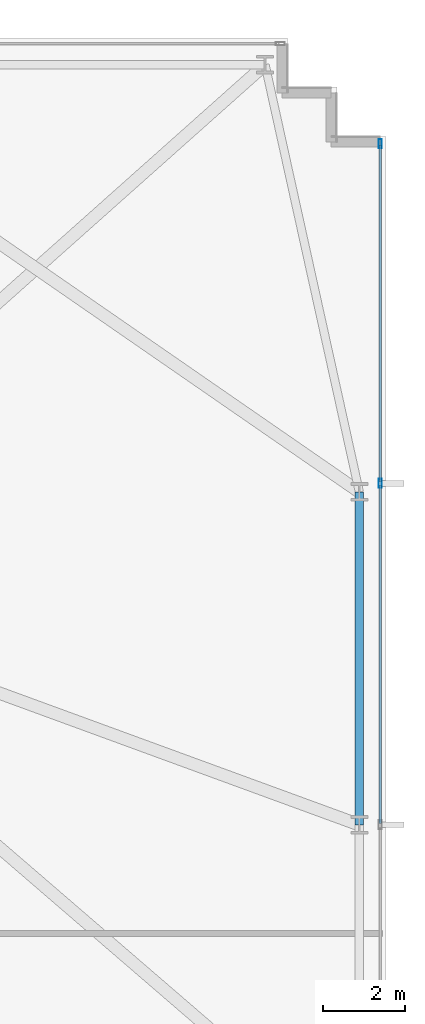
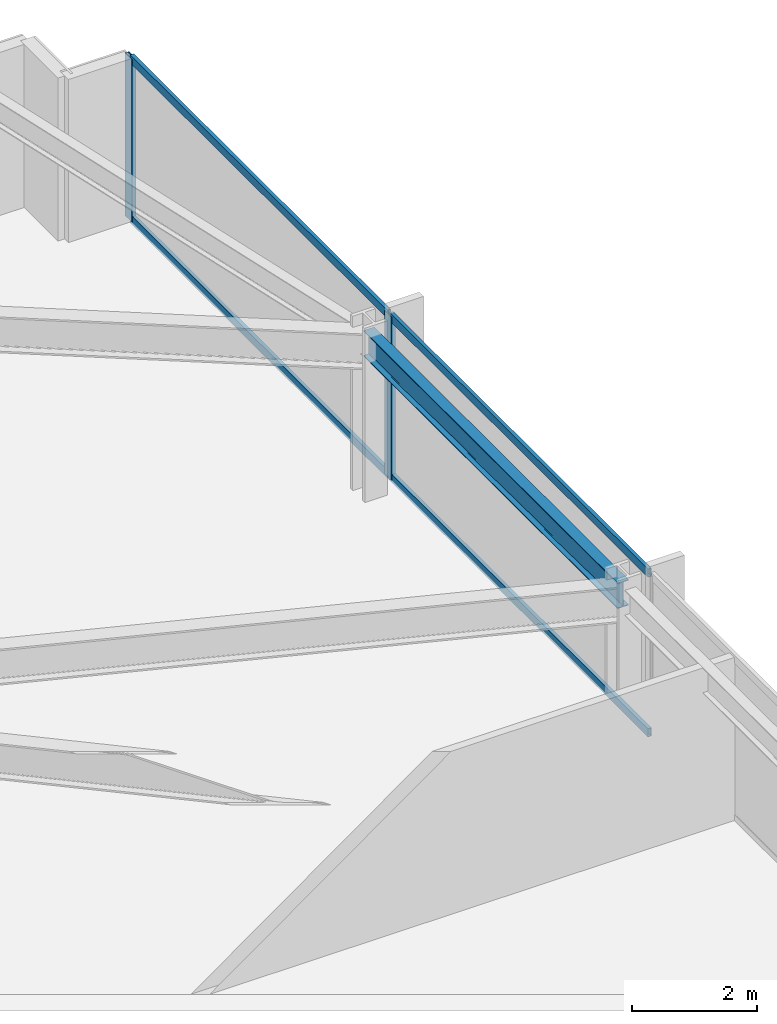
# One storey, part 23 of 32: 6 members, 1 beam, 1 element without a shape of its own.
"""IFC4 building model written with IfcOpenShell, lengths in metres."""

from ifc_helpers import new_model, si_unit, direction, frame, origin, origin_2d, place, context, subcontext, project, spatial, hollow_rectangle, i_section, extrude, material, material_profile, profile_set, type_object, element, aggregate, save


model = new_model("IFC4")

# Units and contexts
model_context = context("Model", 3, precision=1e-05, world=origin(), true_north=direction((0.0, 1.0)))
body_context = subcontext(model_context, "Body", "Model", "MODEL_VIEW")
ifc_project = project(units=[si_unit("LENGTHUNIT", "METRE"), si_unit("AREAUNIT", "SQUARE_METRE"), si_unit("VOLUMEUNIT", "CUBIC_METRE"), si_unit("PLANEANGLEUNIT", "RADIAN"), si_unit("MASSUNIT", "GRAM", prefix="KILO")], contexts=[model_context])

# Site, building, storey
site_placement = place(None, origin())
site = spatial("IfcSite", under=ifc_project, at=site_placement, CompositionType="ELEMENT")
building_placement = place(site_placement, origin())
building = spatial("IfcBuilding", under=site, at=building_placement, Name="Yelkora Congress Tower", CompositionType="ELEMENT")
storey_placement = place(building_placement, frame((0.0, 0.0, 61.0)))
storey = spatial("IfcBuildingStorey", under=building, at=storey_placement, Name="L15", CompositionType="ELEMENT", Elevation=61.0)

# Beam
ifc_material_1 = material(Name="Steel S355J2", Category="steel")
ifc_material_profile_1 = material_profile(ifc_material_1, i_section(OverallWidth=0.199951171875, OverallDepth=0.5, WebThickness=0.01025390625, FlangeThickness=0.01611328125, FilletRadius=0.02099609375, at=origin_2d()), Name="IPE 500")
ifc_profile_set_1 = profile_set([ifc_material_profile_1], Name="Steel S355J2")
beam_type = type_object("IfcBeamType", Name="BM-SPAN-IPE500", PredefinedType="SPANDREL", material=ifc_profile_set_1)
beam_placement = place(storey_placement, frame((70.14990234375, 29.39990234375, 2.929931640625), z_axis=(0.0, 1.0, 0.0), x_axis=(-1.0, 0.0, 0.0)))
element("IfcBeam", 1, at=beam_placement, inside=storey, type_object=beam_type, Name="L15 Perimeter Beam 12", PredefinedType="SPANDREL", context=body_context, shape_type="SweptSolid", body=[
    extrude(i_section(OverallWidth=0.199951171875, OverallDepth=0.5, WebThickness=0.01025390625, FlangeThickness=0.01611328125, FilletRadius=0.02099609375, at=origin_2d()), origin(), (0.0, 0.0, 1.0), 8.125),
])

# Curtain wall, members
ifc_material_2 = material(Name="Anodised aluminium and insulated glass", Category="aluminium")
curtain_wall_type = type_object("IfcCurtainWallType", Name="CW-SYS-B1", PredefinedType="NOTDEFINED", material=ifc_material_2)
curtain_wall_placement = place(storey_placement, origin())
curtain_wall = element("IfcCurtainWall", 2, at=curtain_wall_placement, inside=storey, type_object=curtain_wall_type, Name="L15 Unitised Curtain Wall 15", PredefinedType="NOTDEFINED")
ifc_material_3 = material(Name="Anodised aluminium 6063-T6", Category="aluminium")
ifc_material_profile_2 = material_profile(ifc_material_3, hollow_rectangle(XDim=0.074951171875, YDim=0.219970703125, WallThickness=0.0048828125, at=origin_2d()), Name="ALU 75x220x5")
ifc_profile_set_2 = profile_set([ifc_material_profile_2], Name="Anodised aluminium 6063-T6")
member_type_1 = type_object("IfcMemberType", Name="MEM-ML-B1", PredefinedType="MULLION", material=ifc_profile_set_2)
member_1_placement = place(storey_placement, frame((70.659912109375, 46.0224609375, 0.0), z_axis=(0.0, 0.0, 1.0), x_axis=(1.0, 0.0, 0.0)))
member_1 = element("IfcMember", 3, at=member_1_placement, type_object=member_type_1, Name="CW-B1 mullion 1", PredefinedType="MULLION", context=body_context, shape_type="SweptSolid", body=[
    extrude(hollow_rectangle(XDim=0.074951171875, YDim=0.219970703125, WallThickness=0.0048828125, at=origin_2d()), origin(), (0.0, 0.0, 1.0), 3.179931640625),
])
member_2_placement = place(storey_placement, frame((70.659912109375, 37.72998046875, 0.0), z_axis=(0.0, 0.0, 1.0), x_axis=(1.0, 0.0, 0.0)))
member_2 = element("IfcMember", 4, at=member_2_placement, type_object=member_type_1, Name="CW-B1 mullion 2", PredefinedType="MULLION", context=body_context, shape_type="SweptSolid", body=[
    extrude(hollow_rectangle(XDim=0.074951171875, YDim=0.219970703125, WallThickness=0.0048828125, at=origin_2d()), origin(), (0.0, 0.0, 1.0), 3.179931640625),
])
ifc_material_profile_3 = material_profile(ifc_material_3, hollow_rectangle(XDim=0.06494140625, YDim=0.159912109375, WallThickness=0.00390625, at=origin_2d()), Name="ALU 65x160x4")
ifc_profile_set_3 = profile_set([ifc_material_profile_3], Name="Anodised aluminium 6063-T6")
member_type_2 = type_object("IfcMemberType", Name="MEM-TR-B1", PredefinedType="USERDEFINED", material=ifc_profile_set_3)
member_3_placement = place(storey_placement, frame((70.659912109375, 45.985107421875, 0.032470703125), z_axis=(0.0, -1.0, 0.0), x_axis=(1.0, 0.0, 0.0)))
member_3 = element("IfcMember", 5, at=member_3_placement, type_object=member_type_2, Name="CW-B1 transom 1.1", ObjectType="TRANSOM", PredefinedType="USERDEFINED", context=body_context, shape_type="SweptSolid", body=[
    extrude(hollow_rectangle(XDim=0.06494140625, YDim=0.159912109375, WallThickness=0.00390625, at=origin_2d()), origin(), (0.0, 0.0, 1.0), 8.217529296875),
])
member_4_placement = place(storey_placement, frame((70.659912109375, 45.985107421875, 3.1474609375), z_axis=(0.0, -1.0, 0.0), x_axis=(1.0, 0.0, 0.0)))
member_4 = element("IfcMember", 6, at=member_4_placement, type_object=member_type_2, Name="CW-B1 transom 1.2", ObjectType="TRANSOM", PredefinedType="USERDEFINED", context=body_context, shape_type="SweptSolid", body=[
    extrude(hollow_rectangle(XDim=0.06494140625, YDim=0.159912109375, WallThickness=0.00390625, at=origin_2d()), origin(), (0.0, 0.0, 1.0), 8.217529296875),
])
member_5_placement = place(storey_placement, frame((70.659912109375, 37.6923828125, 0.032470703125), z_axis=(0.0, -1.0, 0.0), x_axis=(1.0, 0.0, 0.0)))
member_5 = element("IfcMember", 7, at=member_5_placement, type_object=member_type_2, Name="CW-B1 transom 2.1", ObjectType="TRANSOM", PredefinedType="USERDEFINED", context=body_context, shape_type="SweptSolid", body=[
    extrude(hollow_rectangle(XDim=0.06494140625, YDim=0.159912109375, WallThickness=0.00390625, at=origin_2d()), origin(), (0.0, 0.0, 1.0), 8.2548828125),
])
member_6_placement = place(storey_placement, frame((70.659912109375, 37.6923828125, 3.1474609375), z_axis=(0.0, -1.0, 0.0), x_axis=(1.0, 0.0, 0.0)))
member_6 = element("IfcMember", 8, at=member_6_placement, type_object=member_type_2, Name="CW-B1 transom 2.2", ObjectType="TRANSOM", PredefinedType="USERDEFINED", context=body_context, shape_type="SweptSolid", body=[
    extrude(hollow_rectangle(XDim=0.06494140625, YDim=0.159912109375, WallThickness=0.00390625, at=origin_2d()), origin(), (0.0, 0.0, 1.0), 8.2548828125),
])
aggregate(curtain_wall, [member_1, member_2, member_3, member_4, member_5, member_6])

save(model, "model.ifc")
